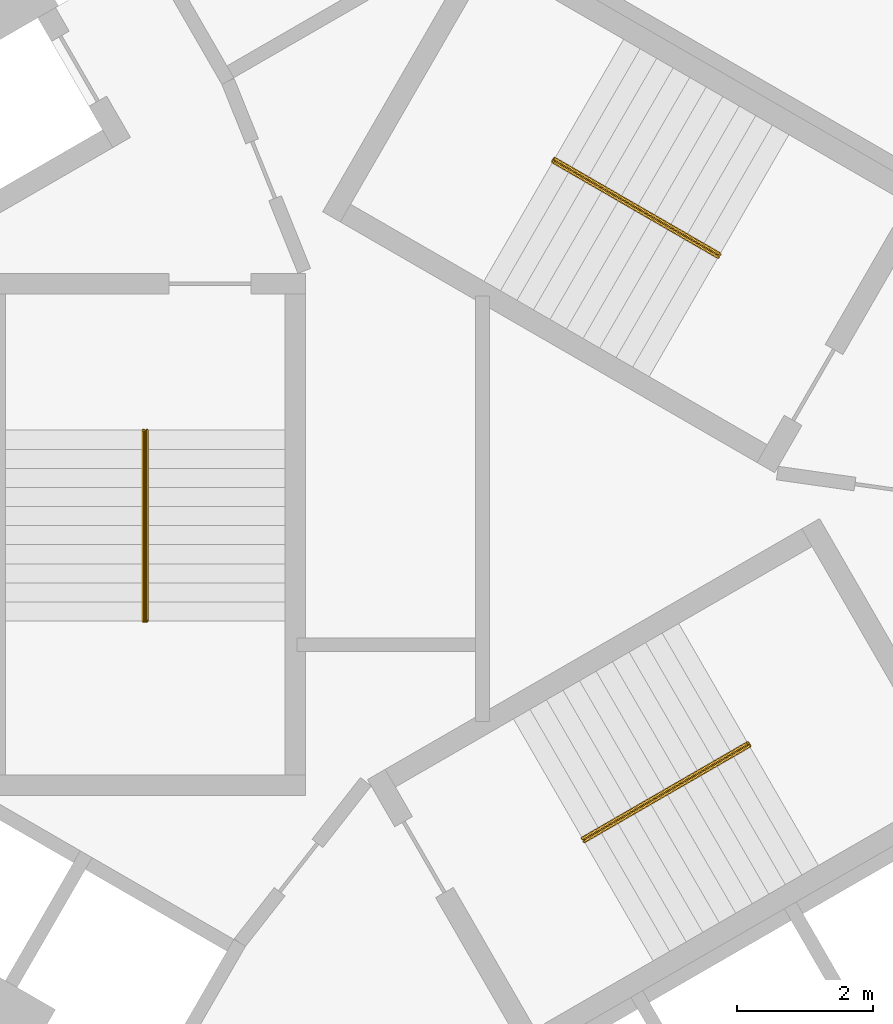
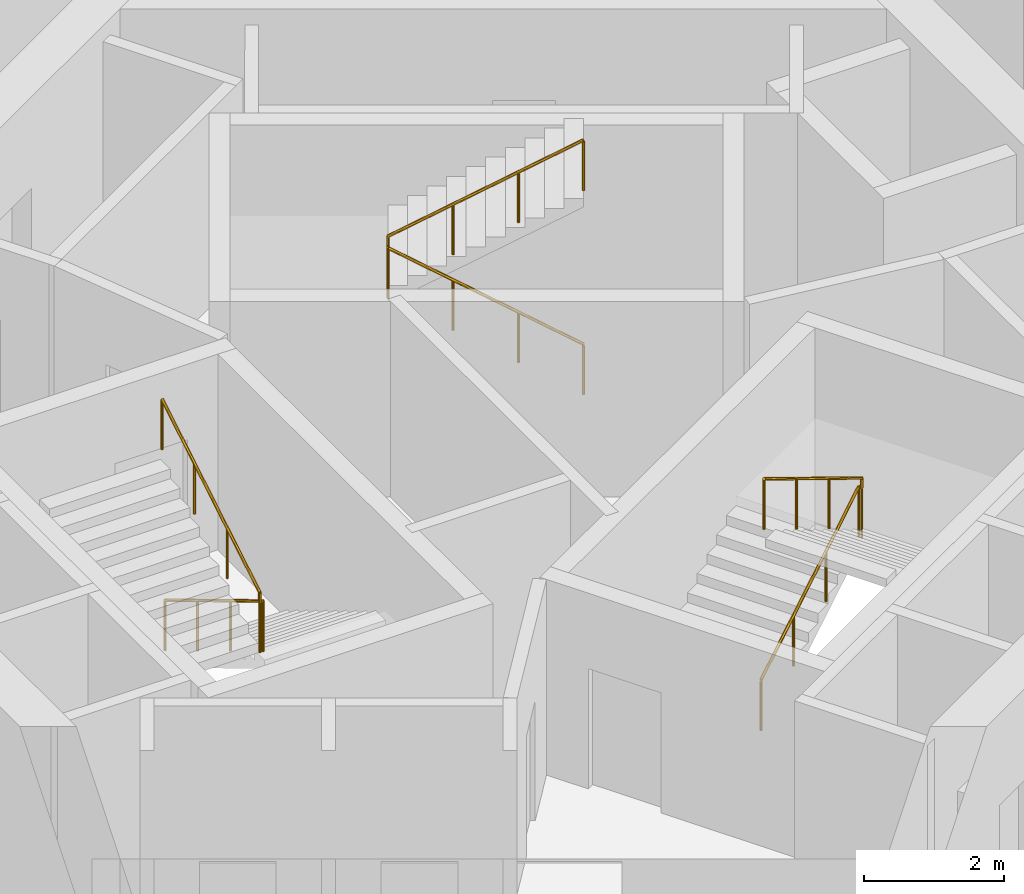
# One storey, part 11 of 11: 3 railings.
"""IFC4 building model written with IfcOpenShell, lengths in metres."""

from ifc_helpers import new_model, si_unit, direction, frame, origin, origin_2d, place, context, subcontext, project, spatial, circle, extrude, material, type_object, element, save


model = new_model("IFC4")

# Units and contexts
model_context = context("Model", 3, precision=1e-05, world=origin(), true_north=direction((0.0, 1.0)))
body_context = subcontext(model_context, "Body", "Model", "MODEL_VIEW")
ifc_project = project(units=[si_unit("LENGTHUNIT", "METRE"), si_unit("AREAUNIT", "SQUARE_METRE"), si_unit("VOLUMEUNIT", "CUBIC_METRE"), si_unit("PLANEANGLEUNIT", "RADIAN"), si_unit("MASSUNIT", "GRAM", prefix="KILO")], contexts=[model_context])

# Site, building, storey
site_placement = place(None, origin())
site = spatial("IfcSite", under=ifc_project, at=site_placement, CompositionType="ELEMENT")
building_placement = place(site_placement, origin())
building = spatial("IfcBuilding", under=site, at=building_placement, Name="Vanh Sen Convention Tower", CompositionType="ELEMENT")
storey_placement = place(building_placement, frame((0.0, 0.0, 259.800048828125)))
storey = spatial("IfcBuildingStorey", under=building, at=storey_placement, Name="L64", CompositionType="ELEMENT", Elevation=259.800048828125)

# Railings
ifc_material = material(Name="Stainless steel handrail", Category="steel")
railing_type = type_object("IfcRailingType", Name="Stair handrail 900", PredefinedType="HANDRAIL", material=ifc_material)
railing_1_placement = place(storey_placement, frame((3.45849609375, 3.690185546875, 0.168212890625)))
element("IfcRailing", 1, at=railing_1_placement, inside=storey, type_object=railing_type, Name="Stair handrail ST1 L64", PredefinedType="HANDRAIL", context=body_context, shape_type="SweptSolid", body=[
    extrude(circle(Radius=0.02392578125, at=origin_2d()), frame((0.0, 0.0, 0.8759765625), z_axis=(-0.74241905619, 0.428617687091, 0.514879426), x_axis=(-0.49998411664, -0.866034573852, 0.0)), (0.0, 0.0, 1.0), 3.26611328125),
    extrude(circle(Radius=0.02392578125, at=origin_2d()), frame((-2.4248046875, 1.39990234375, 2.5576171875), z_axis=(0.497188445666, 0.867642581652, 0.0), x_axis=(-0.867642581652, 0.497188445666, 0.0)), (0.0, 0.0, 1.0), 0.050048828125),
    extrude(circle(Radius=0.02392578125, at=origin_2d()), frame((-2.39990234375, 1.443359375, 2.5576171875), z_axis=(0.0, 0.0, 1.0), x_axis=(1.0, 0.0, 0.0)), (0.0, 0.0, 1.0), 0.168212890625),
    extrude(circle(Radius=0.02392578125, at=origin_2d()), frame((-2.39990234375, 1.443359375, 2.7255859375), z_axis=(0.742366697286, -0.42866220388, 0.514917859203), x_axis=(0.500049511043, 0.865996816683, 0.0)), (0.0, 0.0, 1.0), 3.266357421875),
    extrude(circle(Radius=0.02099609375, at=origin_2d()), origin(), (0.0, 0.0, 1.0), 0.851806640625),
    extrude(circle(Radius=0.02099609375, at=origin_2d()), frame((-0.808349609375, 0.466552734375, 0.560546875)), (0.0, 0.0, 1.0), 0.851806640625),
    extrude(circle(Radius=0.02099609375, at=origin_2d()), frame((-1.616455078125, 0.933349609375, 1.12109375)), (0.0, 0.0, 1.0), 0.851806640625),
    extrude(circle(Radius=0.02099609375, at=origin_2d()), frame((-2.4248046875, 1.39990234375, 1.681640625)), (0.0, 0.0, 1.0), 0.851806640625),
    extrude(circle(Radius=0.02099609375, at=origin_2d()), frame((-2.39990234375, 1.443359375, 1.681640625)), (0.0, 0.0, 1.0), 0.851806640625),
    extrude(circle(Radius=0.02099609375, at=origin_2d()), frame((-2.39990234375, 1.443359375, 1.849853515625)), (0.0, 0.0, 1.0), 0.851806640625),
    extrude(circle(Radius=0.02099609375, at=origin_2d()), frame((-1.591552734375, 0.9765625, 2.410400390625)), (0.0, 0.0, 1.0), 0.851806640625),
    extrude(circle(Radius=0.02099609375, at=origin_2d()), frame((-0.783447265625, 0.510009765625, 2.97119140625)), (0.0, 0.0, 1.0), 0.851806640625),
    extrude(circle(Radius=0.02099609375, at=origin_2d()), frame((0.02490234375, 0.043212890625, 3.53173828125)), (0.0, 0.0, 1.0), 0.851806640625),
])
railing_2_placement = place(storey_placement, frame((-4.925048828125, 1.14990234375, 0.168212890625)))
element("IfcRailing", 2, at=railing_2_placement, inside=storey, type_object=railing_type, Name="Stair handrail ST2 L64", PredefinedType="HANDRAIL", context=body_context, shape_type="SweptSolid", body=[
    extrude(circle(Radius=0.02392578125, at=origin_2d()), frame((0.0, 0.0, 0.8759765625), z_axis=(0.0, -0.857255387014, 0.514891446264), x_axis=(1.0, 0.0, 0.0)), (0.0, 0.0, 1.0), 3.26611328125),
    extrude(circle(Radius=0.02392578125, at=origin_2d()), frame((0.0, -2.7998046875, 2.5576171875), z_axis=(-1.0, 0.0, 0.0), x_axis=(0.0, -1.0, 0.0)), (0.0, 0.0, 1.0), 0.050048828125),
    extrude(circle(Radius=0.02392578125, at=origin_2d()), frame((-0.050048828125, -2.7998046875, 2.5576171875), z_axis=(0.0, 0.0, 1.0), x_axis=(1.0, 0.0, 0.0)), (0.0, 0.0, 1.0), 0.168212890625),
    extrude(circle(Radius=0.02392578125, at=origin_2d()), frame((-0.050048828125, -2.7998046875, 2.7255859375), z_axis=(0.0, 0.857222391501, 0.514946377315), x_axis=(-1.0, 0.0, 0.0)), (0.0, 0.0, 1.0), 3.26611328125),
    extrude(circle(Radius=0.02099609375, at=origin_2d()), origin(), (0.0, 0.0, 1.0), 0.851806640625),
    extrude(circle(Radius=0.02099609375, at=origin_2d()), frame((0.0, -0.933349609375, 0.560546875)), (0.0, 0.0, 1.0), 0.851806640625),
    extrude(circle(Radius=0.02099609375, at=origin_2d()), frame((0.0, -1.866455078125, 1.12109375)), (0.0, 0.0, 1.0), 0.851806640625),
    extrude(circle(Radius=0.02099609375, at=origin_2d()), frame((0.0, -2.7998046875, 1.681640625)), (0.0, 0.0, 1.0), 0.851806640625),
    extrude(circle(Radius=0.02099609375, at=origin_2d()), frame((-0.050048828125, -2.7998046875, 1.681640625)), (0.0, 0.0, 1.0), 0.851806640625),
    extrude(circle(Radius=0.02099609375, at=origin_2d()), frame((-0.050048828125, -2.7998046875, 1.849853515625)), (0.0, 0.0, 1.0), 0.851806640625),
    extrude(circle(Radius=0.02099609375, at=origin_2d()), frame((-0.050048828125, -1.866455078125, 2.410400390625)), (0.0, 0.0, 1.0), 0.851806640625),
    extrude(circle(Radius=0.02099609375, at=origin_2d()), frame((-0.050048828125, -0.933349609375, 2.97119140625)), (0.0, 0.0, 1.0), 0.851806640625),
    extrude(circle(Radius=0.02099609375, at=origin_2d()), frame((-0.050048828125, 0.0, 3.53173828125)), (0.0, 0.0, 1.0), 0.851806640625),
])
railing_3_placement = place(storey_placement, frame((1.466552734375, -4.840087890625, 0.168212890625)))
element("IfcRailing", 3, at=railing_3_placement, inside=storey, type_object=railing_type, Name="Stair handrail ST3 L64", PredefinedType="HANDRAIL", context=body_context, shape_type="SweptSolid", body=[
    extrude(circle(Radius=0.02392578125, at=origin_2d()), frame((0.0, 0.0, 0.8759765625), z_axis=(0.74241905619, 0.428617687091, 0.514879426), x_axis=(-0.49998411664, 0.866034573852, 0.0)), (0.0, 0.0, 1.0), 3.26611328125),
    extrude(circle(Radius=0.02392578125, at=origin_2d()), frame((2.4248046875, 1.39990234375, 2.5576171875), z_axis=(0.502959906984, -0.86430974307, 0.0), x_axis=(0.86430974307, 0.502959906984, 0.0)), (0.0, 0.0, 1.0), 0.050048828125),
    extrude(circle(Radius=0.02392578125, at=origin_2d()), frame((2.449951171875, 1.356689453125, 2.5576171875), z_axis=(0.0, 0.0, 1.0), x_axis=(1.0, 0.0, 0.0)), (0.0, 0.0, 1.0), 0.168212890625),
    extrude(circle(Radius=0.02392578125, at=origin_2d()), frame((2.449951171875, 1.356689453125, 2.7255859375), z_axis=(-0.742366697286, -0.42866220388, 0.514917859203), x_axis=(0.500049511043, -0.865996816683, 0.0)), (0.0, 0.0, 1.0), 3.266357421875),
    extrude(circle(Radius=0.02099609375, at=origin_2d()), origin(), (0.0, 0.0, 1.0), 0.851806640625),
    extrude(circle(Radius=0.02099609375, at=origin_2d()), frame((0.808349609375, 0.466552734375, 0.560546875)), (0.0, 0.0, 1.0), 0.851806640625),
    extrude(circle(Radius=0.02099609375, at=origin_2d()), frame((1.616455078125, 0.933349609375, 1.12109375)), (0.0, 0.0, 1.0), 0.851806640625),
    extrude(circle(Radius=0.02099609375, at=origin_2d()), frame((2.4248046875, 1.39990234375, 1.681640625)), (0.0, 0.0, 1.0), 0.851806640625),
    extrude(circle(Radius=0.02099609375, at=origin_2d()), frame((2.449951171875, 1.356689453125, 1.681640625)), (0.0, 0.0, 1.0), 0.851806640625),
    extrude(circle(Radius=0.02099609375, at=origin_2d()), frame((2.449951171875, 1.356689453125, 1.849853515625)), (0.0, 0.0, 1.0), 0.851806640625),
    extrude(circle(Radius=0.02099609375, at=origin_2d()), frame((1.6416015625, 0.889892578125, 2.410400390625)), (0.0, 0.0, 1.0), 0.851806640625),
    extrude(circle(Radius=0.02099609375, at=origin_2d()), frame((0.83349609375, 0.42333984375, 2.97119140625)), (0.0, 0.0, 1.0), 0.851806640625),
    extrude(circle(Radius=0.02099609375, at=origin_2d()), frame((0.025146484375, -0.04345703125, 3.53173828125)), (0.0, 0.0, 1.0), 0.851806640625),
])

save(model, "model.ifc")
